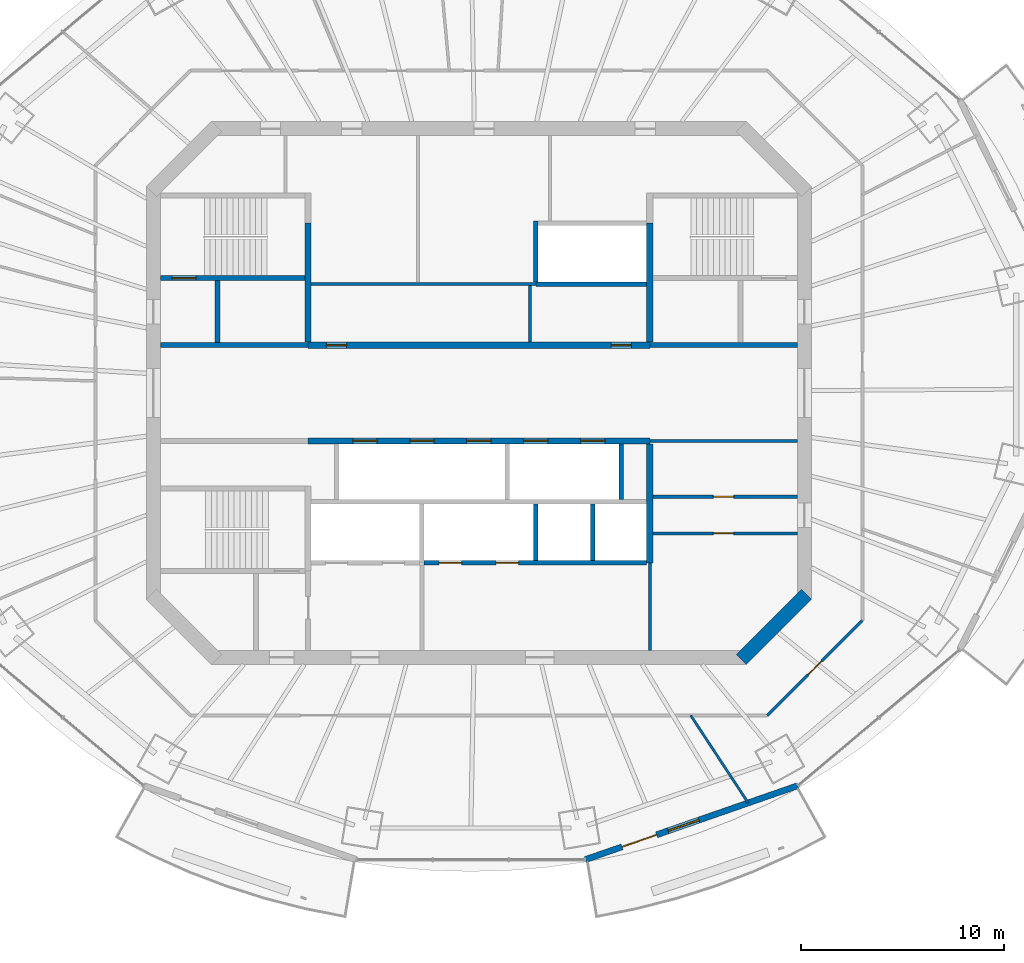
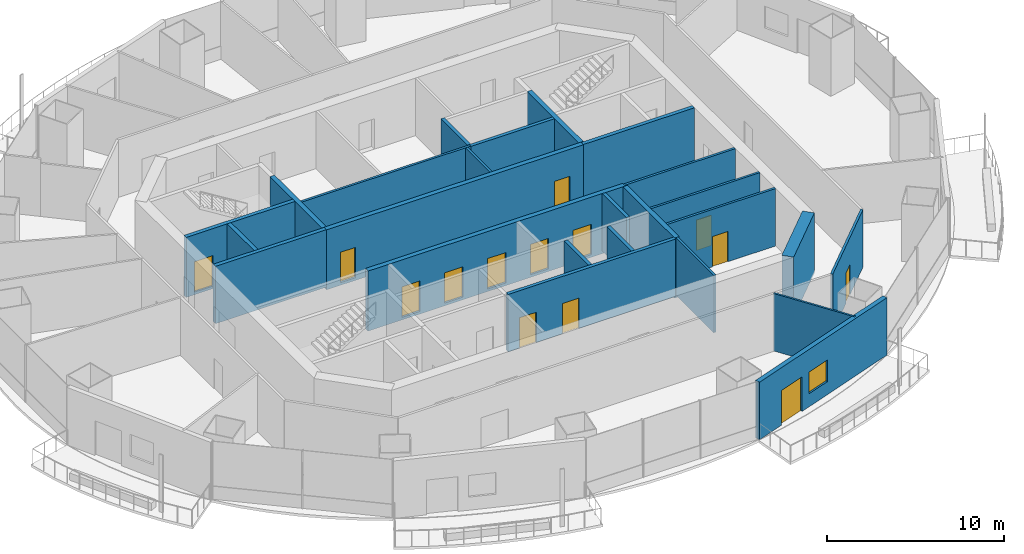
# One storey, part 9 of 16: 25 walls, 14 doors, 1 window, 15 openings.
"""IFC4 building model written with IfcOpenShell, lengths in metres."""

from ifc_helpers import new_model, si_unit, direction, frame, frame_2d, origin, place, context, subcontext, project, spatial, rectangle, extrude, material, layer, layer_set, type_object, element, fill, save


model = new_model("IFC4")

# Units and contexts
model_context = context("Model", 3, precision=1e-05, world=origin(), true_north=direction((0.0, 1.0)))
body_context = subcontext(model_context, "Body", "Model", "MODEL_VIEW")
ifc_project = project(units=[si_unit("LENGTHUNIT", "METRE"), si_unit("AREAUNIT", "SQUARE_METRE"), si_unit("VOLUMEUNIT", "CUBIC_METRE"), si_unit("PLANEANGLEUNIT", "RADIAN"), si_unit("MASSUNIT", "GRAM", prefix="KILO")], contexts=[model_context])

# Site, building, storey
site_placement = place(None, origin())
site = spatial("IfcSite", under=ifc_project, at=site_placement, CompositionType="ELEMENT")
building_placement = place(site_placement, origin())
building = spatial("IfcBuilding", under=site, at=building_placement, Name="Marenthal Gate Tower", CompositionType="ELEMENT")
storey_placement = place(building_placement, frame((0.0, 0.0, 292.800048828125)))
storey = spatial("IfcBuildingStorey", under=building, at=storey_placement, Name="L65", CompositionType="ELEMENT", Elevation=292.800048828125)

# Wall
ifc_material_1 = material(Name="Concrete 60 MPa", Category="concrete")
ifc_layer_1 = layer(ifc_material_1, 0.699951171875)
ifc_layer_set_1 = layer_set([ifc_layer_1], Name="Core shear wall 700")
wall_type_1 = type_object("IfcWallType", Name="Core shear wall 700", PredefinedType="SHEAR", material=ifc_layer_set_1)
wall_1_placement = place(storey_placement, frame((12.8974609375, -13.1025390625, -0.179931640625), z_axis=(0.0, 0.0, 1.0), x_axis=(0.707106781187, 0.707106781187, 0.0)))
element("IfcWall", 1, at=wall_1_placement, inside=storey, type_object=wall_type_1, Name="Core wall 01", PredefinedType="SHEAR", context=body_context, shape_type="SweptSolid", body=[
    extrude(rectangle(XDim=4.53271484375, YDim=0.699951171875, at=frame_2d((2.266357421875, 0.0))), origin(), (0.0, 0.0, 1.0), 4.14990234375),
])

# Wall, openings, doors
ifc_material_2 = material(Name="Concrete 50 MPa", Category="concrete")
ifc_layer_2 = layer(ifc_material_2, 0.300048828125)
ifc_layer_set_2 = layer_set([ifc_layer_2], Name="Hoistway shear wall 300")
wall_type_2 = type_object("IfcWallType", Name="Hoistway shear wall 300", PredefinedType="SHEAR", material=ifc_layer_set_2)
wall_2_placement = place(storey_placement, frame((-8.39990234375, -2.35009765625, -0.179931640625), z_axis=(0.0, 0.0, 1.0), x_axis=(1.0, 0.0, 0.0)))
wall_2 = element("IfcWall", 2, at=wall_2_placement, inside=storey, type_object=wall_type_2, Name="Hoistway wall 17", PredefinedType="SHEAR", context=body_context, shape_type="SweptSolid", body=[
    extrude(rectangle(XDim=16.7998046875, YDim=0.300048828125, at=frame_2d((8.39990234375, 0.0))), origin(), (0.0, 0.0, 1.0), 4.14990234375),
])
opening_1_placement = place(wall_2_placement, frame((2.199951171875, 0.0, 0.179931640625)))
opening_1 = element("IfcOpeningElement", 3, at=opening_1_placement, cuts=wall_2, Name="Opening LD-HP1", PredefinedType="OPENING", context=body_context, shape_type="SweptSolid", body=[
    extrude(rectangle(XDim=1.199951171875, YDim=2.10009765625, at=frame_2d((0.60009765625, 1.050048828125))), frame((0.0, 0.16015625, 0.0), z_axis=(0.0, -1.0, 0.0), x_axis=(1.0, 0.0, 0.0)), (0.0, 0.0, 1.0), 0.320068359375),
])
opening_2_placement = place(wall_2_placement, frame((5.0, 0.0, 0.179931640625)))
opening_2 = element("IfcOpeningElement", 4, at=opening_2_placement, cuts=wall_2, Name="Opening LD-HP2", PredefinedType="OPENING", context=body_context, shape_type="SweptSolid", body=[
    extrude(rectangle(XDim=1.199951171875, YDim=2.10009765625, at=frame_2d((0.60009765625, 1.050048828125))), frame((0.0, 0.16015625, 0.0), z_axis=(0.0, -1.0, 0.0), x_axis=(1.0, 0.0, 0.0)), (0.0, 0.0, 1.0), 0.320068359375),
])
opening_3_placement = place(wall_2_placement, frame((7.800048828125, 0.0, 0.179931640625)))
opening_3 = element("IfcOpeningElement", 5, at=opening_3_placement, cuts=wall_2, Name="Opening LD-HP3", PredefinedType="OPENING", context=body_context, shape_type="SweptSolid", body=[
    extrude(rectangle(XDim=1.199951171875, YDim=2.10009765625, at=frame_2d((0.60009765625, 1.050048828125))), frame((0.0, 0.16015625, 0.0), z_axis=(0.0, -1.0, 0.0), x_axis=(1.0, 0.0, 0.0)), (0.0, 0.0, 1.0), 0.320068359375),
])
opening_4_placement = place(wall_2_placement, frame((10.60009765625, 0.0, 0.179931640625)))
opening_4 = element("IfcOpeningElement", 6, at=opening_4_placement, cuts=wall_2, Name="Opening LD-HP4", PredefinedType="OPENING", context=body_context, shape_type="SweptSolid", body=[
    extrude(rectangle(XDim=1.199951171875, YDim=2.10009765625, at=frame_2d((0.60009765625, 1.050048828125))), frame((0.0, 0.16015625, 0.0), z_axis=(0.0, -1.0, 0.0), x_axis=(1.0, 0.0, 0.0)), (0.0, 0.0, 1.0), 0.320068359375),
])
opening_5_placement = place(wall_2_placement, frame((13.39990234375, 0.0, 0.179931640625)))
opening_5 = element("IfcOpeningElement", 7, at=opening_5_placement, cuts=wall_2, Name="Opening LD-HP5", PredefinedType="OPENING", context=body_context, shape_type="SweptSolid", body=[
    extrude(rectangle(XDim=1.199951171875, YDim=2.10009765625, at=frame_2d((0.60009765625, 1.050048828125))), frame((0.0, 0.16015625, 0.0), z_axis=(0.0, -1.0, 0.0), x_axis=(1.0, 0.0, 0.0)), (0.0, 0.0, 1.0), 0.320068359375),
])
ifc_material_3 = material(Name="Stainless steel sliding door", Category="steel")
door_type_1 = type_object("IfcDoorType", Name="Lift landing door FD 90 1200 x 2100", OperationType="DOUBLE_DOOR_SLIDING", PredefinedType="DOOR", material=ifc_material_3)
door_1_placement = place(opening_1_placement, origin())
door_1 = element("IfcDoor", 8, at=door_1_placement, inside=storey, type_object=door_type_1, Name="Lift landing door HP1", OperationType="DOUBLE_DOOR_SLIDING", OverallHeight=2.10009765625, OverallWidth=1.199951171875, PredefinedType="DOOR", context=body_context, shape_type="SweptSolid", body=[
    extrude(rectangle(XDim=1.199951171875, YDim=2.10009765625, at=frame_2d((0.60009765625, 1.050048828125))), frame((0.0, 0.02490234375, 0.0), z_axis=(0.0, -1.0, 0.0), x_axis=(1.0, 0.0, 0.0)), (0.0, 0.0, 1.0), 0.050048828125),
])
fill(opening_1, door_1)
door_2_placement = place(opening_2_placement, origin())
door_2 = element("IfcDoor", 9, at=door_2_placement, inside=storey, type_object=door_type_1, Name="Lift landing door HP2", OperationType="DOUBLE_DOOR_SLIDING", OverallHeight=2.10009765625, OverallWidth=1.199951171875, PredefinedType="DOOR", context=body_context, shape_type="SweptSolid", body=[
    extrude(rectangle(XDim=1.199951171875, YDim=2.10009765625, at=frame_2d((0.60009765625, 1.050048828125))), frame((0.0, 0.02490234375, 0.0), z_axis=(0.0, -1.0, 0.0), x_axis=(1.0, 0.0, 0.0)), (0.0, 0.0, 1.0), 0.050048828125),
])
fill(opening_2, door_2)
door_3_placement = place(opening_3_placement, origin())
door_3 = element("IfcDoor", 10, at=door_3_placement, inside=storey, type_object=door_type_1, Name="Lift landing door HP3", OperationType="DOUBLE_DOOR_SLIDING", OverallHeight=2.10009765625, OverallWidth=1.199951171875, PredefinedType="DOOR", context=body_context, shape_type="SweptSolid", body=[
    extrude(rectangle(XDim=1.199951171875, YDim=2.10009765625, at=frame_2d((0.60009765625, 1.050048828125))), frame((0.0, 0.02490234375, 0.0), z_axis=(0.0, -1.0, 0.0), x_axis=(1.0, 0.0, 0.0)), (0.0, 0.0, 1.0), 0.050048828125),
])
fill(opening_3, door_3)
door_4_placement = place(opening_4_placement, origin())
door_4 = element("IfcDoor", 11, at=door_4_placement, inside=storey, type_object=door_type_1, Name="Lift landing door HP4", OperationType="DOUBLE_DOOR_SLIDING", OverallHeight=2.10009765625, OverallWidth=1.199951171875, PredefinedType="DOOR", context=body_context, shape_type="SweptSolid", body=[
    extrude(rectangle(XDim=1.199951171875, YDim=2.10009765625, at=frame_2d((0.60009765625, 1.050048828125))), frame((0.0, 0.02490234375, 0.0), z_axis=(0.0, -1.0, 0.0), x_axis=(1.0, 0.0, 0.0)), (0.0, 0.0, 1.0), 0.050048828125),
])
fill(opening_4, door_4)
door_5_placement = place(opening_5_placement, origin())
door_5 = element("IfcDoor", 12, at=door_5_placement, inside=storey, type_object=door_type_1, Name="Lift landing door HP5", OperationType="DOUBLE_DOOR_SLIDING", OverallHeight=2.10009765625, OverallWidth=1.199951171875, PredefinedType="DOOR", context=body_context, shape_type="SweptSolid", body=[
    extrude(rectangle(XDim=1.199951171875, YDim=2.10009765625, at=frame_2d((0.60009765625, 1.050048828125))), frame((0.0, 0.02490234375, 0.0), z_axis=(0.0, -1.0, 0.0), x_axis=(1.0, 0.0, 0.0)), (0.0, 0.0, 1.0), 0.050048828125),
])
fill(opening_5, door_5)

wall_3_placement = place(storey_placement, frame((-8.39990234375, 2.35009765625, -0.179931640625), z_axis=(0.0, 0.0, 1.0), x_axis=(1.0, 0.0, 0.0)))
wall_3 = element("IfcWall", 13, at=wall_3_placement, inside=storey, type_object=wall_type_2, Name="Hoistway wall 20", PredefinedType="SHEAR", context=body_context, shape_type="SweptSolid", body=[
    extrude(rectangle(XDim=16.7998046875, YDim=0.300048828125, at=frame_2d((8.39990234375, 0.0))), origin(), (0.0, 0.0, 1.0), 4.14990234375),
])
opening_6_placement = place(wall_3_placement, frame((0.89990234375, 0.0, 0.179931640625)))
opening_6 = element("IfcOpeningElement", 14, at=opening_6_placement, cuts=wall_3, Name="Opening D005.01", PredefinedType="OPENING", context=body_context, shape_type="SweptSolid", body=[
    extrude(rectangle(XDim=1.0, YDim=2.10009765625, at=frame_2d((0.5, 1.050048828125))), frame((0.0, 0.16015625, 0.0), z_axis=(0.0, -1.0, 0.0), x_axis=(1.0, 0.0, 0.0)), (0.0, 0.0, 1.0), 0.320068359375),
])
opening_7_placement = place(wall_3_placement, frame((14.89990234375, 0.0, 0.179931640625)))
opening_7 = element("IfcOpeningElement", 15, at=opening_7_placement, cuts=wall_3, Name="Opening D005.02", PredefinedType="OPENING", context=body_context, shape_type="SweptSolid", body=[
    extrude(rectangle(XDim=1.0, YDim=2.10009765625, at=frame_2d((0.5, 1.050048828125))), frame((0.0, 0.16015625, 0.0), z_axis=(0.0, -1.0, 0.0), x_axis=(1.0, 0.0, 0.0)), (0.0, 0.0, 1.0), 0.320068359375),
])
ifc_material_4 = material(Name="Steel fire door", Category="steel")
door_type_2 = type_object("IfcDoorType", Name="Fire door FD 45 1000 x 2100", OperationType="NOTDEFINED", PredefinedType="DOOR", material=ifc_material_4)
door_6_placement = place(opening_6_placement, origin())
door_6 = element("IfcDoor", 16, at=door_6_placement, inside=storey, type_object=door_type_2, Name="Door D005.01", OperationType="SINGLE_SWING_RIGHT", OverallHeight=2.10009765625, OverallWidth=1.0, PredefinedType="DOOR", context=body_context, shape_type="SweptSolid", body=[
    extrude(rectangle(XDim=1.0, YDim=2.10009765625, at=frame_2d((0.5, 1.050048828125))), frame((0.0, 0.02490234375, 0.0), z_axis=(0.0, -1.0, 0.0), x_axis=(1.0, 0.0, 0.0)), (0.0, 0.0, 1.0), 0.050048828125),
])
fill(opening_6, door_6)
door_7_placement = place(opening_7_placement, origin())
door_7 = element("IfcDoor", 17, at=door_7_placement, inside=storey, type_object=door_type_2, Name="Door D005.02", OperationType="SINGLE_SWING_RIGHT", OverallHeight=2.10009765625, OverallWidth=1.0, PredefinedType="DOOR", context=body_context, shape_type="SweptSolid", body=[
    extrude(rectangle(XDim=1.0, YDim=2.10009765625, at=frame_2d((0.5, 1.050048828125))), frame((0.0, 0.02490234375, 0.0), z_axis=(0.0, -1.0, 0.0), x_axis=(1.0, 0.0, 0.0)), (0.0, 0.0, 1.0), 0.050048828125),
])
fill(opening_7, door_7)

# Walls
for number, where, z_axis, x_axis, name in (
    (18, (-8.39990234375, 2.5, -0.179931640625), (0.0, 0.0, 1.0), (0.0, 1.0, 0.0), "Hoistway wall 34"),
    (19, (8.39990234375, -8.35009765625, -0.179931640625), (0.0, 0.0, 1.0), (0.0, 1.0, 0.0), "Hoistway wall 48"),
    (20, (8.39990234375, 2.5, -0.179931640625), (0.0, 0.0, 1.0), (0.0, 1.0, 0.0), "Hoistway wall 49"),
):
    element("IfcWall", number, at=place(storey_placement, frame(where, z_axis=z_axis, x_axis=x_axis)), inside=storey, type_object=wall_type_2, Name=name, PredefinedType="SHEAR", context=body_context, shape_type="SweptSolid", body=[
        extrude(rectangle(XDim=5.85009765625, YDim=0.300048828125, at=frame_2d((2.925048828125, 0.0))), origin(), (0.0, 0.0, 1.0), 4.14990234375),
    ])

# Wall, openings, doors
ifc_material_5 = material(Name="Concrete 40 MPa", Category="concrete")
ifc_layer_3 = layer(ifc_material_5, 0.219970703125)
ifc_layer_set_3 = layer_set([ifc_layer_3], Name="Hoistway wall 220")
wall_type_3 = type_object("IfcWallType", Name="Hoistway wall 220", PredefinedType="STANDARD", material=ifc_layer_set_3)
wall_4_placement = place(storey_placement, frame((-2.68994140625, -8.35009765625, 0.0), z_axis=(0.0, 0.0, 1.0), x_axis=(1.0, 0.0, 0.0)))
wall_4 = element("IfcWall", 21, at=wall_4_placement, inside=storey, type_object=wall_type_3, Name="Hoistway wall 11", PredefinedType="STANDARD", context=body_context, shape_type="SweptSolid", body=[
    extrude(rectangle(XDim=10.93994140625, YDim=0.219970703125, at=frame_2d((5.469970703125, 0.0))), origin(), (0.0, 0.0, 1.0), 3.969970703125),
])
opening_8_placement = place(wall_4_placement, frame((0.739990234375, 0.0, 0.0)))
opening_8 = element("IfcOpeningElement", 22, at=opening_8_placement, cuts=wall_4, Name="Opening LD-SV1", PredefinedType="OPENING", context=body_context, shape_type="SweptSolid", body=[
    extrude(rectangle(XDim=1.10009765625, YDim=2.10009765625, at=frame_2d((0.550048828125, 1.050048828125))), frame((0.0, 0.1201171875, 0.0), z_axis=(0.0, -1.0, 0.0), x_axis=(1.0, 0.0, 0.0)), (0.0, 0.0, 1.0), 0.239990234375),
])
opening_9_placement = place(wall_4_placement, frame((3.5400390625, 0.0, 0.0)))
opening_9 = element("IfcOpeningElement", 23, at=opening_9_placement, cuts=wall_4, Name="Opening LD-SV2", PredefinedType="OPENING", context=body_context, shape_type="SweptSolid", body=[
    extrude(rectangle(XDim=1.10009765625, YDim=2.10009765625, at=frame_2d((0.550048828125, 1.050048828125))), frame((0.0, 0.1201171875, 0.0), z_axis=(0.0, -1.0, 0.0), x_axis=(1.0, 0.0, 0.0)), (0.0, 0.0, 1.0), 0.239990234375),
])
ifc_material_6 = material(Name="Stainless steel sliding door", Category="steel")
door_type_3 = type_object("IfcDoorType", Name="Lift landing door FD 90 1100 x 2100", OperationType="DOUBLE_DOOR_SLIDING", PredefinedType="DOOR", material=ifc_material_6)
door_8_placement = place(opening_8_placement, origin())
door_8 = element("IfcDoor", 24, at=door_8_placement, inside=storey, type_object=door_type_3, Name="Lift landing door SV1", OperationType="DOUBLE_DOOR_SLIDING", OverallHeight=2.10009765625, OverallWidth=1.10009765625, PredefinedType="DOOR", context=body_context, shape_type="SweptSolid", body=[
    extrude(rectangle(XDim=1.10009765625, YDim=2.10009765625, at=frame_2d((0.550048828125, 1.050048828125))), frame((0.0, 0.02490234375, 0.0), z_axis=(0.0, -1.0, 0.0), x_axis=(1.0, 0.0, 0.0)), (0.0, 0.0, 1.0), 0.050048828125),
])
fill(opening_8, door_8)
door_9_placement = place(opening_9_placement, origin())
door_9 = element("IfcDoor", 25, at=door_9_placement, inside=storey, type_object=door_type_3, Name="Lift landing door SV2", OperationType="DOUBLE_DOOR_SLIDING", OverallHeight=2.10009765625, OverallWidth=1.10009765625, PredefinedType="DOOR", context=body_context, shape_type="SweptSolid", body=[
    extrude(rectangle(XDim=1.10009765625, YDim=2.10009765625, at=frame_2d((0.550048828125, 1.050048828125))), frame((0.0, 0.02490234375, 0.0), z_axis=(0.0, -1.0, 0.0), x_axis=(1.0, 0.0, 0.0)), (0.0, 0.0, 1.0), 0.050048828125),
])
fill(opening_9, door_9)

# Walls
wall_5_placement = place(storey_placement, frame((2.800048828125, 5.35009765625, 0.0), z_axis=(0.0, 0.0, 1.0), x_axis=(1.0, 0.0, 0.0)))
element("IfcWall", 26, at=wall_5_placement, inside=storey, type_object=wall_type_3, Name="Hoistway wall 23", PredefinedType="STANDARD", context=body_context, shape_type="SweptSolid", body=[
    extrude(rectangle(XDim=5.449951171875, YDim=0.219970703125, at=frame_2d((2.72509765625, 0.0))), origin(), (0.0, 0.0, 1.0), 3.969970703125),
])
wall_6_placement = place(storey_placement, frame((2.800048828125, -8.239990234375, 0.0), z_axis=(0.0, 0.0, 1.0), x_axis=(0.0, 1.0, 0.0)))
element("IfcWall", 27, at=wall_6_placement, inside=storey, type_object=wall_type_3, Name="Hoistway wall 42", PredefinedType="STANDARD", context=body_context, shape_type="SweptSolid", body=[
    extrude(rectangle(XDim=2.780029296875, YDim=0.219970703125, at=frame_2d((1.39013671875, 0.0))), origin(), (0.0, 0.0, 1.0), 3.969970703125),
])
wall_7_placement = place(storey_placement, frame((2.800048828125, 5.4599609375, 0.0), z_axis=(0.0, 0.0, 1.0), x_axis=(0.0, 1.0, 0.0)))
element("IfcWall", 28, at=wall_7_placement, inside=storey, type_object=wall_type_3, Name="Hoistway wall 43", PredefinedType="STANDARD", context=body_context, shape_type="SweptSolid", body=[
    extrude(rectangle(XDim=3.0, YDim=0.219970703125, at=frame_2d((1.5, 0.0))), origin(), (0.0, 0.0, 1.0), 3.969970703125),
])
wall_8_placement = place(storey_placement, frame((5.60009765625, -8.239990234375, 0.0), z_axis=(0.0, 0.0, 1.0), x_axis=(0.0, 1.0, 0.0)))
element("IfcWall", 29, at=wall_8_placement, inside=storey, type_object=wall_type_3, Name="Hoistway wall 45", PredefinedType="STANDARD", context=body_context, shape_type="SweptSolid", body=[
    extrude(rectangle(XDim=2.780029296875, YDim=0.219970703125, at=frame_2d((1.39013671875, 0.0))), origin(), (0.0, 0.0, 1.0), 3.969970703125),
])
wall_9_placement = place(storey_placement, frame((7.0, -5.239990234375, 0.0), z_axis=(0.0, 0.0, 1.0), x_axis=(0.0, 1.0, 0.0)))
element("IfcWall", 30, at=wall_9_placement, inside=storey, type_object=wall_type_3, Name="Hoistway wall 46", PredefinedType="STANDARD", context=body_context, shape_type="SweptSolid", body=[
    extrude(rectangle(XDim=2.739990234375, YDim=0.219970703125, at=frame_2d((1.3701171875, 0.0))), origin(), (0.0, 0.0, 1.0), 3.969970703125),
])
ifc_material_7 = material(Name="Gypsum board on steel studs", Category="steel")
ifc_layer_4 = layer(ifc_material_7, 0.1201171875)
ifc_layer_set_4 = layer_set([ifc_layer_4], Name="Partition 120")
wall_type_4 = type_object("IfcWallType", Name="Partition 120", PredefinedType="PARTITIONING", material=ifc_layer_set_4)
wall_10_placement = place(storey_placement, frame((10.41357421875, -15.85009765625, 0.0), z_axis=(0.0, 0.0, 1.0), x_axis=(0.549083233683, -0.835767672555, 0.0)))
element("IfcWall", 31, at=wall_10_placement, inside=storey, type_object=wall_type_4, Name="Partition wall 65", PredefinedType="PARTITIONING", context=body_context, shape_type="SweptSolid", body=[
    extrude(rectangle(XDim=5.14697265625, YDim=0.1201171875, at=frame_2d((2.573486328125, 0.0))), origin(), (0.0, 0.0, 1.0), 3.969970703125),
])

# Wall, opening, door
ifc_material_8 = material(Name="Gypsum board on steel studs", Category="steel")
ifc_layer_5 = layer(ifc_material_8, 0.14990234375)
ifc_layer_set_5 = layer_set([ifc_layer_5], Name="Partition 150")
wall_type_5 = type_object("IfcWallType", Name="Partition 150", PredefinedType="PARTITIONING", material=ifc_layer_set_5)
wall_11_placement = place(storey_placement, frame((8.550048828125, -6.89990234375, 0.0), z_axis=(0.0, 0.0, 1.0), x_axis=(1.0, 0.0, 0.0)))
wall_11 = element("IfcWall", 32, at=wall_11_placement, inside=storey, type_object=wall_type_5, Name="Partition wall 12", PredefinedType="PARTITIONING", context=body_context, shape_type="SweptSolid", body=[
    extrude(rectangle(XDim=7.099853515625, YDim=0.14990234375, at=frame_2d((3.5498046875, 0.0))), origin(), (0.0, 0.0, 1.0), 3.969970703125),
])
opening_10_placement = place(wall_11_placement, frame((2.97509765625, 0.0, 0.0)))
opening_10 = element("IfcOpeningElement", 33, at=opening_10_placement, cuts=wall_11, Name="Opening D005.08", PredefinedType="OPENING", context=body_context, shape_type="SweptSolid", body=[
    extrude(rectangle(XDim=1.0, YDim=2.10009765625, at=frame_2d((0.5, 1.050048828125))), frame((0.0, 0.0849609375, 0.0), z_axis=(0.0, -1.0, 0.0), x_axis=(1.0, 0.0, 0.0)), (0.0, 0.0, 1.0), 0.169921875),
])
door_10_placement = place(opening_10_placement, frame((1.0, 0.0, 0.0), z_axis=(0.0, 0.0, 1.0), x_axis=(-1.0, 0.0, 0.0)))
door_10 = element("IfcDoor", 34, at=door_10_placement, inside=storey, type_object=door_type_2, Name="Door D005.08", OperationType="SINGLE_SWING_LEFT", OverallHeight=2.10009765625, OverallWidth=1.0, PredefinedType="DOOR", context=body_context, shape_type="SweptSolid", body=[
    extrude(rectangle(XDim=1.0, YDim=2.10009765625, at=frame_2d((0.5, 1.050048828125))), frame((0.0, 0.02490234375, 0.0), z_axis=(0.0, -1.0, 0.0), x_axis=(1.0, 0.0, 0.0)), (0.0, 0.0, 1.0), 0.050048828125),
])
fill(opening_10, door_10)

wall_12_placement = place(storey_placement, frame((8.550048828125, -5.10009765625, 0.0), z_axis=(0.0, 0.0, 1.0), x_axis=(1.0, 0.0, 0.0)))
wall_12 = element("IfcWall", 35, at=wall_12_placement, inside=storey, type_object=wall_type_5, Name="Partition wall 14", PredefinedType="PARTITIONING", context=body_context, shape_type="SweptSolid", body=[
    extrude(rectangle(XDim=7.099853515625, YDim=0.14990234375, at=frame_2d((3.5498046875, 0.0))), origin(), (0.0, 0.0, 1.0), 3.969970703125),
])
opening_11_placement = place(wall_12_placement, frame((2.97509765625, 0.0, 0.0)))
opening_11 = element("IfcOpeningElement", 36, at=opening_11_placement, cuts=wall_12, Name="Opening D005.07", PredefinedType="OPENING", context=body_context, shape_type="SweptSolid", body=[
    extrude(rectangle(XDim=1.0, YDim=2.10009765625, at=frame_2d((0.5, 1.050048828125))), frame((0.0, 0.0849609375, 0.0), z_axis=(0.0, -1.0, 0.0), x_axis=(1.0, 0.0, 0.0)), (0.0, 0.0, 1.0), 0.169921875),
])
door_11_placement = place(opening_11_placement, origin())
door_11 = element("IfcDoor", 37, at=door_11_placement, inside=storey, type_object=door_type_2, Name="Door D005.07", OperationType="SINGLE_SWING_RIGHT", OverallHeight=2.10009765625, OverallWidth=1.0, PredefinedType="DOOR", context=body_context, shape_type="SweptSolid", body=[
    extrude(rectangle(XDim=1.0, YDim=2.10009765625, at=frame_2d((0.5, 1.050048828125))), frame((0.0, 0.02490234375, 0.0), z_axis=(0.0, -1.0, 0.0), x_axis=(1.0, 0.0, 0.0)), (0.0, 0.0, 1.0), 0.050048828125),
])
fill(opening_11, door_11)

# Walls
wall_13_placement = place(storey_placement, frame((8.39990234375, -2.35009765625, 0.0), z_axis=(0.0, 0.0, 1.0), x_axis=(1.0, 0.0, 0.0)))
element("IfcWall", 38, at=wall_13_placement, inside=storey, type_object=wall_type_5, Name="Partition wall 18", PredefinedType="PARTITIONING", context=body_context, shape_type="SweptSolid", body=[
    extrude(rectangle(XDim=7.25, YDim=0.14990234375, at=frame_2d((3.625, 0.0))), origin(), (0.0, 0.0, 1.0), 3.969970703125),
])
wall_14_placement = place(storey_placement, frame((-8.25, 5.35009765625, 0.0), z_axis=(0.0, 0.0, 1.0), x_axis=(1.0, 0.0, 0.0)))
element("IfcWall", 39, at=wall_14_placement, inside=storey, type_object=wall_type_5, Name="Partition wall 22", PredefinedType="PARTITIONING", context=body_context, shape_type="SweptSolid", body=[
    extrude(rectangle(XDim=11.050048828125, YDim=0.14990234375, at=frame_2d((5.52490234375, 0.0))), origin(), (0.0, 0.0, 1.0), 3.969970703125),
])
wall_15_placement = place(storey_placement, frame((2.52001953125, 2.5, 0.0), z_axis=(0.0, 0.0, 1.0), x_axis=(0.0, 1.0, 0.0)))
element("IfcWall", 40, at=wall_15_placement, inside=storey, type_object=wall_type_5, Name="Partition wall 41", PredefinedType="PARTITIONING", context=body_context, shape_type="SweptSolid", body=[
    extrude(rectangle(XDim=2.77490234375, YDim=0.14990234375, at=frame_2d((1.387451171875, 0.0))), origin(), (0.0, 0.0, 1.0), 3.969970703125),
])
wall_16_placement = place(storey_placement, frame((8.39990234375, -12.64990234375, 0.0), z_axis=(0.0, 0.0, 1.0), x_axis=(0.0, 1.0, 0.0)))
element("IfcWall", 41, at=wall_16_placement, inside=storey, type_object=wall_type_5, Name="Partition wall 47", PredefinedType="PARTITIONING", context=body_context, shape_type="SweptSolid", body=[
    extrude(rectangle(XDim=4.2998046875, YDim=0.14990234375, at=frame_2d((2.14990234375, 0.0))), origin(), (0.0, 0.0, 1.0), 3.969970703125),
])

# Wall, opening, door
wall_17_placement = place(storey_placement, frame((18.85009765625, -11.180419921875, 0.0), z_axis=(0.0, 0.0, 1.0), x_axis=(-0.707106781187, -0.707106781187, 0.0)))
wall_17 = element("IfcWall", 42, at=wall_17_placement, inside=storey, type_object=wall_type_5, Name="Partition wall 68", PredefinedType="PARTITIONING", context=body_context, shape_type="SweptSolid", body=[
    extrude(rectangle(XDim=6.60400390625, YDim=0.14990234375, at=frame_2d((3.302001953125, 0.0))), origin(), (0.0, 0.0, 1.0), 3.969970703125),
])
opening_12_placement = place(wall_17_placement, frame((2.826904296875, 0.0, 0.0)))
opening_12 = element("IfcOpeningElement", 43, at=opening_12_placement, cuts=wall_17, Name="Opening D016.09", PredefinedType="OPENING", context=body_context, shape_type="SweptSolid", body=[
    extrude(rectangle(XDim=0.949951171875, YDim=2.10009765625, at=frame_2d((0.47509765625, 1.050048828125))), frame((0.0, 0.0849609375, 0.0), z_axis=(0.0, -1.0, 0.0), x_axis=(1.0, 0.0, 0.0)), (0.0, 0.0, 1.0), 0.169921875),
])
ifc_material_9 = material(Name="Timber door", Category="wood")
door_type_4 = type_object("IfcDoorType", Name="Door 950 x 2100", OperationType="NOTDEFINED", PredefinedType="DOOR", material=ifc_material_9)
door_12_placement = place(opening_12_placement, origin())
door_12 = element("IfcDoor", 44, at=door_12_placement, inside=storey, type_object=door_type_4, Name="Door D016.09", OperationType="SINGLE_SWING_RIGHT", OverallHeight=2.10009765625, OverallWidth=0.949951171875, PredefinedType="DOOR", context=body_context, shape_type="SweptSolid", body=[
    extrude(rectangle(XDim=0.949951171875, YDim=2.10009765625, at=frame_2d((0.47509765625, 1.050048828125))), frame((0.0, 0.02490234375, 0.0), z_axis=(0.0, -1.0, 0.0), x_axis=(1.0, 0.0, 0.0)), (0.0, 0.0, 1.0), 0.050048828125),
])
fill(opening_12, door_12)

# Walls
ifc_material_10 = material(Name="Concrete 40 MPa", Category="concrete")
ifc_layer_6 = layer(ifc_material_10, 0.25)
ifc_layer_set_6 = layer_set([ifc_layer_6], Name="Stair enclosure wall 250")
wall_type_6 = type_object("IfcWallType", Name="Stair enclosure wall 250", PredefinedType="STANDARD", material=ifc_layer_set_6)
for number, where, z_axis, x_axis, name in (
    (45, (-15.64990234375, 2.35009765625, 0.0), (0.0, 0.0, 1.0), (1.0, 0.0, 0.0), "Stair wall 19"),
    (46, (8.39990234375, 2.35009765625, 0.0), (0.0, 0.0, 1.0), (1.0, 0.0, 0.0), "Stair wall 21"),
):
    element("IfcWall", number, at=place(storey_placement, frame(where, z_axis=z_axis, x_axis=x_axis)), inside=storey, type_object=wall_type_6, Name=name, PredefinedType="STANDARD", context=body_context, shape_type="SweptSolid", body=[
        extrude(rectangle(XDim=7.25, YDim=0.25, at=frame_2d((3.625, 0.0))), origin(), (0.0, 0.0, 1.0), 3.969970703125),
    ])
wall_18_placement = place(storey_placement, frame((-12.85009765625, 2.47509765625, 0.0), z_axis=(0.0, 0.0, 1.0), x_axis=(0.0, 1.0, 0.0)))
element("IfcWall", 47, at=wall_18_placement, inside=storey, type_object=wall_type_6, Name="Stair wall 29", PredefinedType="STANDARD", context=body_context, shape_type="SweptSolid", body=[
    extrude(rectangle(XDim=3.0498046875, YDim=0.25, at=frame_2d((1.52490234375, 0.0))), origin(), (0.0, 0.0, 1.0), 3.969970703125),
])

# Wall, opening, door
ifc_material_11 = material(Name="Concrete 50 MPa", Category="concrete")
ifc_layer_7 = layer(ifc_material_11, 0.25)
ifc_layer_set_7 = layer_set([ifc_layer_7], Name="Stair shear wall 250")
wall_type_7 = type_object("IfcWallType", Name="Stair shear wall 250", PredefinedType="SHEAR", material=ifc_layer_set_7)
wall_19_placement = place(storey_placement, frame((-15.64990234375, 5.64990234375, -0.179931640625), z_axis=(0.0, 0.0, 1.0), x_axis=(1.0, 0.0, 0.0)))
wall_19 = element("IfcWall", 48, at=wall_19_placement, inside=storey, type_object=wall_type_7, Name="Stair wall 24", PredefinedType="SHEAR", context=body_context, shape_type="SweptSolid", body=[
    extrude(rectangle(XDim=7.099853515625, YDim=0.25, at=frame_2d((3.5498046875, 0.0))), origin(), (0.0, 0.0, 1.0), 4.14990234375),
])
opening_13_placement = place(wall_19_placement, frame((0.550048828125, 0.0, 0.179931640625)))
opening_13 = element("IfcOpeningElement", 49, at=opening_13_placement, cuts=wall_19, Name="Opening D001.01", PredefinedType="OPENING", context=body_context, shape_type="SweptSolid", body=[
    extrude(rectangle(XDim=1.199951171875, YDim=2.10009765625, at=frame_2d((0.60009765625, 1.050048828125))), frame((0.0, 0.135009765625, 0.0), z_axis=(0.0, -1.0, 0.0), x_axis=(1.0, 0.0, 0.0)), (0.0, 0.0, 1.0), 0.27001953125),
])
ifc_material_12 = material(Name="Steel fire door", Category="steel")
door_type_5 = type_object("IfcDoorType", Name="Fire door FD 90 1200 x 2100", OperationType="NOTDEFINED", PredefinedType="DOOR", material=ifc_material_12)
door_13_placement = place(opening_13_placement, origin())
door_13 = element("IfcDoor", 50, at=door_13_placement, inside=storey, type_object=door_type_5, Name="Door D001.01", OperationType="SINGLE_SWING_RIGHT", OverallHeight=2.10009765625, OverallWidth=1.199951171875, PredefinedType="DOOR", context=body_context, shape_type="SweptSolid", body=[
    extrude(rectangle(XDim=1.199951171875, YDim=2.10009765625, at=frame_2d((0.60009765625, 1.050048828125))), frame((0.0, 0.02490234375, 0.0), z_axis=(0.0, -1.0, 0.0), x_axis=(1.0, 0.0, 0.0)), (0.0, 0.0, 1.0), 0.050048828125),
])
fill(opening_13, door_13)

# Wall, openings, door, window
ifc_material_13 = material(Name="Terracotta cladding on insulated concrete-block backing", Category="masonry")
ifc_layer_8 = layer(ifc_material_13, 0.300048828125)
ifc_layer_set_8 = layer_set([ifc_layer_8], Name="Terracotta facade wall 300")
wall_type_8 = type_object("IfcWallType", Name="Terracotta facade wall 300", PredefinedType="SOLIDWALL", material=ifc_layer_set_8)
wall_20_placement = place(storey_placement, frame((5.24169921875, -22.93603515625, 0.0), z_axis=(0.0, 0.0, 1.0), x_axis=(0.94441082719, 0.328767683155, 0.0)))
wall_20 = element("IfcWall", 51, at=wall_20_placement, inside=storey, type_object=wall_type_8, Name="Terracotta facade wall L65 bay 13", PredefinedType="SOLIDWALL", context=body_context, shape_type="SweptSolid", body=[
    extrude(rectangle(XDim=11.037841796875, YDim=0.300048828125, at=frame_2d((5.51904296875, 0.0))), origin(), (0.0, 0.0, 1.0), 3.969970703125),
])
opening_14_placement = place(wall_20_placement, frame((1.89990234375, 0.0, 0.0)))
opening_14 = element("IfcOpeningElement", 52, at=opening_14_placement, cuts=wall_20, Name="Opening BD-L65-13", PredefinedType="OPENING", context=body_context, shape_type="SweptSolid", body=[
    extrude(rectangle(XDim=1.800048828125, YDim=2.39990234375, at=frame_2d((0.89990234375, 1.199951171875))), frame((0.0, 0.16015625, 0.0), z_axis=(0.0, -1.0, 0.0), x_axis=(1.0, 0.0, 0.0)), (0.0, 0.0, 1.0), 0.320068359375),
])
opening_15_placement = place(wall_20_placement, frame((4.300048828125, 0.0, 0.89990234375)))
opening_15 = element("IfcOpeningElement", 53, at=opening_15_placement, cuts=wall_20, Name="Opening WN3-L65-13", PredefinedType="OPENING", context=body_context, shape_type="SweptSolid", body=[
    extrude(rectangle(XDim=1.60009765625, YDim=1.5, at=frame_2d((0.800048828125, 0.75))), frame((0.0, 0.16015625, 0.0), z_axis=(0.0, -1.0, 0.0), x_axis=(1.0, 0.0, 0.0)), (0.0, 0.0, 1.0), 0.320068359375),
])
ifc_material_14 = material(Name="Aluminium and glass", Category="aluminium")
door_type_6 = type_object("IfcDoorType", Name="Balcony door 1800x2400", OperationType="DOUBLE_DOOR_SINGLE_SWING", PredefinedType="DOOR", material=ifc_material_14)
door_14_placement = place(opening_14_placement, origin())
door_14 = element("IfcDoor", 54, at=door_14_placement, inside=storey, type_object=door_type_6, Name="Balcony door L65 bay 13", OperationType="SINGLE_SWING_LEFT", OverallHeight=2.39990234375, OverallWidth=1.800048828125, PredefinedType="DOOR", context=body_context, shape_type="SweptSolid", body=[
    extrude(rectangle(XDim=1.800048828125, YDim=2.39990234375, at=frame_2d((0.89990234375, 1.199951171875))), frame((0.0, 0.02490234375, 0.0), z_axis=(0.0, -1.0, 0.0), x_axis=(1.0, 0.0, 0.0)), (0.0, 0.0, 1.0), 0.050048828125),
])
fill(opening_14, door_14)
ifc_material_15 = material(Name="Aluminium and glass", Category="aluminium")
window_type = type_object("IfcWindowType", Name="Window 1600x1500", PartitioningType="DOUBLE_PANEL_VERTICAL", PredefinedType="WINDOW", material=ifc_material_15)
window_placement = place(opening_15_placement, origin())
window = element("IfcWindow", 55, at=window_placement, inside=storey, type_object=window_type, Name="Window L65 bay 13", OverallHeight=1.5, OverallWidth=1.60009765625, PartitioningType="SINGLE_PANEL", PredefinedType="WINDOW", context=body_context, shape_type="SweptSolid", body=[
    extrude(rectangle(XDim=1.60009765625, YDim=1.5, at=frame_2d((0.800048828125, 0.75))), frame((0.0, 0.030029296875, 0.0), z_axis=(0.0, -1.0, 0.0), x_axis=(1.0, 0.0, 0.0)), (0.0, 0.0, 1.0), 0.06005859375),
])
fill(opening_15, window)

save(model, "model.ifc")
